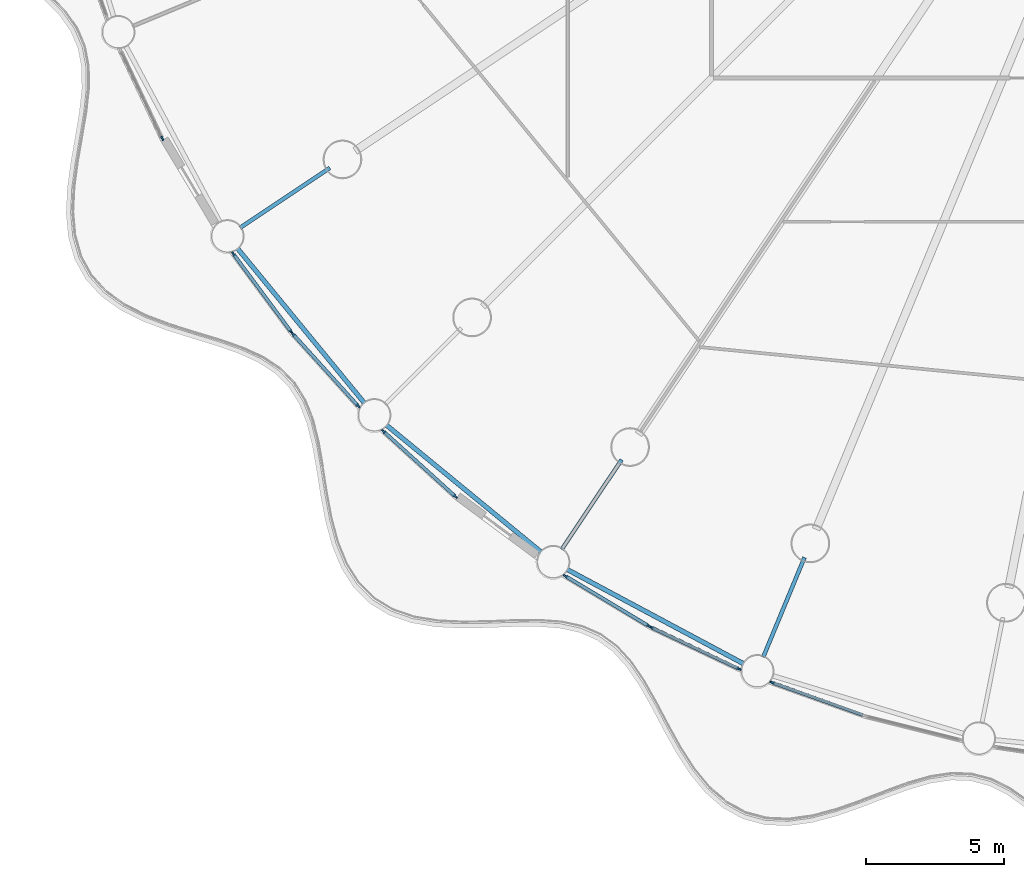
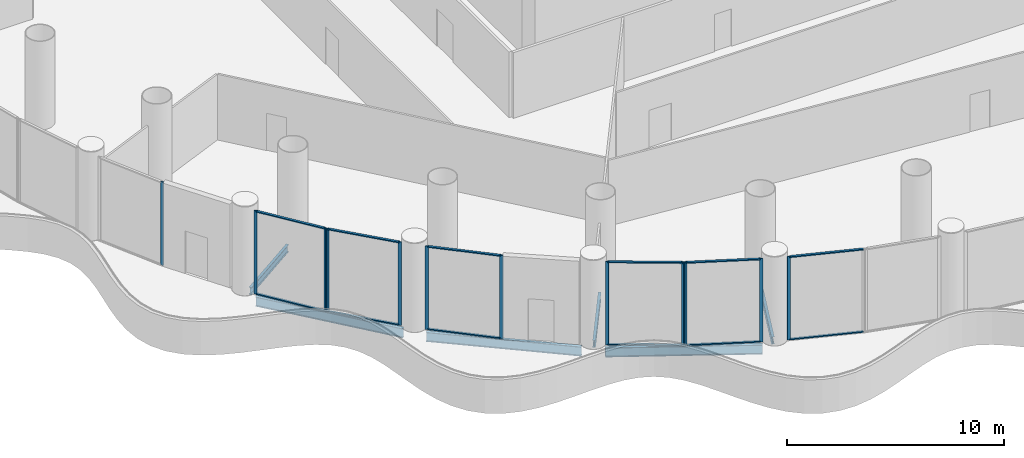
# One storey, part 2 of 38: 24 members, 6 beams, 7 elements without a shape of their own.
"""IFC4 building model written with IfcOpenShell, lengths in metres."""

from ifc_helpers import new_model, si_unit, direction, frame, origin, origin_2d, place, context, subcontext, project, spatial, rectangle, i_section, extrude, material, material_profile, profile_set, type_object, element, aggregate, save


model = new_model("IFC4")

# Units and contexts
model_context = context("Model", 3, precision=1e-05, world=origin(), true_north=direction((0.0, 1.0)))
body_context = subcontext(model_context, "Body", "Model", "MODEL_VIEW")
ifc_project = project(units=[si_unit("LENGTHUNIT", "METRE"), si_unit("AREAUNIT", "SQUARE_METRE"), si_unit("VOLUMEUNIT", "CUBIC_METRE"), si_unit("PLANEANGLEUNIT", "RADIAN"), si_unit("MASSUNIT", "GRAM", prefix="KILO")], contexts=[model_context])

# Site, building, storey
site_placement = place(None, origin())
site = spatial("IfcSite", under=ifc_project, at=site_placement, CompositionType="ELEMENT")
building_placement = place(site_placement, origin())
building = spatial("IfcBuilding", under=site, at=building_placement, Name="Corvane Civic Tower", CompositionType="ELEMENT")
storey_placement = place(building_placement, frame((0.0, 0.0, 32.0)))
storey = spatial("IfcBuildingStorey", under=building, at=storey_placement, Name="L06", CompositionType="ELEMENT", Elevation=32.0)

# Beams
ifc_material_1 = material(Name="Steel ASTM A992 Gr 50", Category="steel")
ifc_material_profile_1 = material_profile(ifc_material_1, i_section(OverallWidth=0.165771484375, OverallDepth=0.5283203125, WebThickness=0.009765625, FlangeThickness=0.013671875, at=origin_2d()), Name="W21X50")
ifc_profile_set_1 = profile_set([ifc_material_profile_1], Name="Steel ASTM A992 Gr 50")
beam_type_1 = type_object("IfcBeamType", Name="EDGE BEAM W21X50", PredefinedType="BEAM", material=ifc_profile_set_1)
for number, where, z_axis, x_axis, name in (
    (1, (-16.82568359375, -39.1904296875, -0.564208984375), (-0.881912894916, 0.471412394598, 0.0), (-0.471412394598, -0.881912894916, 0.0), "BM-L06-E19"),
    (2, (-24.14794921875, -35.15478515625, -0.564208984375), (-0.773007924807, 0.634396365205, 0.0), (-0.634396365205, -0.773007924807, 0.0), "BM-L06-E20"),
    (3, (-30.542236328125, -29.768310546875, -0.564208984375), (-0.634396365205, 0.773007924807, 0.0), (-0.773007924807, -0.634396365205, 0.0), "BM-L06-E21"),
):
    element("IfcBeam", number, at=place(storey_placement, frame(where, z_axis=z_axis, x_axis=x_axis)), inside=storey, type_object=beam_type_1, Name=name, PredefinedType="BEAM", context=body_context, shape_type="SweptSolid", body=[
        extrude(i_section(OverallWidth=0.165771484375, OverallDepth=0.5283203125, WebThickness=0.009765625, FlangeThickness=0.013671875, at=origin_2d()), origin(), (0.0, 0.0, 1.0), 7.270751953125),
    ])
ifc_material_2 = material(Name="Steel ASTM A992 Gr 50", Category="steel")
ifc_material_profile_2 = material_profile(ifc_material_2, i_section(OverallWidth=0.140380859375, OverallDepth=0.40380859375, WebThickness=0.007080078125, FlangeThickness=0.01123046875, at=origin_2d()), Name="W16X31")
ifc_profile_set_2 = profile_set([ifc_material_profile_2], Name="Steel ASTM A992 Gr 50")
beam_type_2 = type_object("IfcBeamType", Name="FLOOR GIRDER W16X31", PredefinedType="BEAM", material=ifc_profile_set_2)
for number, where, z_axis, x_axis, name in (
    (4, (-14.6376953125, -35.33837890625, -0.501953125), (-0.382685369162, -0.923878730261, 0.0), (0.923878730261, -0.382685369162, 0.0), "BM-L06-G19b"),
    (5, (-21.25048828125, -31.8037109375, -0.501953125), (-0.555581110199, -0.831462344301, 0.0), (0.831462344301, -0.555581110199, 0.0), "BM-L06-G20b"),
    (6, (-31.8037109375, -21.25048828125, -0.501953125), (-0.831462344301, -0.555581110199, 0.0), (0.555581110199, -0.831462344301, 0.0), "BM-L06-G22b"),
):
    element("IfcBeam", number, at=place(storey_placement, frame(where, z_axis=z_axis, x_axis=x_axis)), inside=storey, type_object=beam_type_2, Name=name, PredefinedType="BEAM", context=body_context, shape_type="SweptSolid", body=[
        extrude(i_section(OverallWidth=0.140380859375, OverallDepth=0.40380859375, WebThickness=0.007080078125, FlangeThickness=0.01123046875, at=origin_2d()), origin(), (0.0, 0.0, 1.0), 3.89990234375),
    ])

# Curtain wall, member
ifc_material_3 = material(Name="Aluminium and glass", Category="aluminium")
curtain_wall_type = type_object("IfcCurtainWallType", Name="PODIUM-CW-P-RUN", PredefinedType="NOTDEFINED", material=ifc_material_3)
curtain_wall_1_placement = place(storey_placement, origin())
curtain_wall_1 = element("IfcCurtainWall", 7, at=curtain_wall_1_placement, inside=storey, type_object=curtain_wall_type, Name="PODI run L06-drum-18B", PredefinedType="NOTDEFINED")
ifc_material_4 = material(Name="Anodised aluminium bronze", Category="aluminium")
ifc_material_profile_3 = material_profile(ifc_material_4, rectangle(XDim=0.06005859375, YDim=0.159912109375, at=origin_2d()), Name="AL 60x160")
ifc_profile_set_3 = profile_set([ifc_material_profile_3], Name="Anodised aluminium bronze")
member_type_1 = type_object("IfcMemberType", Name="PODIUM-CWP-MULLION-60x160", PredefinedType="MULLION", material=ifc_profile_set_3)
member_1_placement = place(storey_placement, frame((-15.81298828125, -39.861083984375, 0.0), z_axis=(0.0, 0.0, 1.0), x_axis=(-0.336918534123, -0.941533802561, 0.0)))
member_1 = element("IfcMember", 8, at=member_1_placement, type_object=member_type_1, Name="CW-P mullion 2", PredefinedType="MULLION", context=body_context, shape_type="SweptSolid", body=[
    extrude(rectangle(XDim=0.06005859375, YDim=0.159912109375, at=origin_2d()), origin(), (0.0, 0.0, 1.0), 4.699951171875),
])

# Curtain wall, members
curtain_wall_2_placement = place(storey_placement, origin())
curtain_wall_2 = element("IfcCurtainWall", 9, at=curtain_wall_2_placement, inside=storey, type_object=curtain_wall_type, Name="PODI run L06-drum-19A", PredefinedType="NOTDEFINED")
member_2_placement = place(storey_placement, frame((-17.00439453125, -39.36767578125, 0.0), z_axis=(0.0, 0.0, 1.0), x_axis=(-0.42755312852, -0.903990222454, 0.0)))
member_2 = element("IfcMember", 10, at=member_2_placement, type_object=member_type_1, Name="CW-P mullion 1", PredefinedType="MULLION", context=body_context, shape_type="SweptSolid", body=[
    extrude(rectangle(XDim=0.06005859375, YDim=0.159912109375, at=origin_2d()), origin(), (0.0, 0.0, 1.0), 4.699951171875),
])
member_3_placement = place(storey_placement, frame((-20.186279296875, -37.862548828125, 0.0), z_axis=(0.0, 0.0, 1.0), x_axis=(-0.42755312852, -0.903990222454, 0.0)))
member_3 = element("IfcMember", 11, at=member_3_placement, type_object=member_type_1, Name="CW-P mullion 2", PredefinedType="MULLION", context=body_context, shape_type="SweptSolid", body=[
    extrude(rectangle(XDim=0.06005859375, YDim=0.159912109375, at=origin_2d()), origin(), (0.0, 0.0, 1.0), 4.699951171875),
])

curtain_wall_3_placement = place(storey_placement, origin())
curtain_wall_3 = element("IfcCurtainWall", 12, at=curtain_wall_3_placement, inside=storey, type_object=curtain_wall_type, Name="PODI run L06-drum-19B", PredefinedType="NOTDEFINED")
member_4_placement = place(storey_placement, frame((-20.2666015625, -37.819580078125, 0.0), z_axis=(0.0, 0.0, 1.0), x_axis=(-0.514117759857, -0.857719609779, 0.0)))
member_4 = element("IfcMember", 13, at=member_4_placement, type_object=member_type_1, Name="CW-P mullion 1", PredefinedType="MULLION", context=body_context, shape_type="SweptSolid", body=[
    extrude(rectangle(XDim=0.06005859375, YDim=0.159912109375, at=origin_2d()), origin(), (0.0, 0.0, 1.0), 4.699951171875),
])
member_5_placement = place(storey_placement, frame((-23.28564453125, -36.010009765625, 0.0), z_axis=(0.0, 0.0, 1.0), x_axis=(-0.514117759857, -0.857719609779, 0.0)))
member_5 = element("IfcMember", 14, at=member_5_placement, type_object=member_type_1, Name="CW-P mullion 2", PredefinedType="MULLION", context=body_context, shape_type="SweptSolid", body=[
    extrude(rectangle(XDim=0.06005859375, YDim=0.159912109375, at=origin_2d()), origin(), (0.0, 0.0, 1.0), 4.699951171875),
])

curtain_wall_4_placement = place(storey_placement, origin())
curtain_wall_4 = element("IfcCurtainWall", 15, at=curtain_wall_4_placement, inside=storey, type_object=curtain_wall_type, Name="PODI run L06-drum-20B", PredefinedType="NOTDEFINED")
member_6_placement = place(storey_placement, frame((-27.25537109375, -33.13916015625, 0.0), z_axis=(0.0, 0.0, 1.0), x_axis=(-0.671576457952, -0.740935261089, 0.0)))
member_6 = element("IfcMember", 16, at=member_6_placement, type_object=member_type_1, Name="CW-P mullion 1", PredefinedType="MULLION", context=body_context, shape_type="SweptSolid", body=[
    extrude(rectangle(XDim=0.06005859375, YDim=0.159912109375, at=origin_2d()), origin(), (0.0, 0.0, 1.0), 4.699951171875),
])
member_7_placement = place(storey_placement, frame((-29.863525390625, -30.775390625, 0.0), z_axis=(0.0, 0.0, 1.0), x_axis=(-0.671576457952, -0.740935261089, 0.0)))
member_7 = element("IfcMember", 17, at=member_7_placement, type_object=member_type_1, Name="CW-P mullion 2", PredefinedType="MULLION", context=body_context, shape_type="SweptSolid", body=[
    extrude(rectangle(XDim=0.06005859375, YDim=0.159912109375, at=origin_2d()), origin(), (0.0, 0.0, 1.0), 4.699951171875),
])

curtain_wall_5_placement = place(storey_placement, origin())
curtain_wall_5 = element("IfcCurtainWall", 18, at=curtain_wall_5_placement, inside=storey, type_object=curtain_wall_type, Name="PODI run L06-drum-21A", PredefinedType="NOTDEFINED")
member_8_placement = place(storey_placement, frame((-30.775390625, -29.863525390625, 0.0), z_axis=(0.0, 0.0, 1.0), x_axis=(-0.740935261089, -0.671576457952, 0.0)))
member_8 = element("IfcMember", 19, at=member_8_placement, type_object=member_type_1, Name="CW-P mullion 1", PredefinedType="MULLION", context=body_context, shape_type="SweptSolid", body=[
    extrude(rectangle(XDim=0.06005859375, YDim=0.159912109375, at=origin_2d()), origin(), (0.0, 0.0, 1.0), 4.699951171875),
])
member_9_placement = place(storey_placement, frame((-33.13916015625, -27.25537109375, 0.0), z_axis=(0.0, 0.0, 1.0), x_axis=(-0.740935261089, -0.671576457952, 0.0)))
member_9 = element("IfcMember", 20, at=member_9_placement, type_object=member_type_1, Name="CW-P mullion 2", PredefinedType="MULLION", context=body_context, shape_type="SweptSolid", body=[
    extrude(rectangle(XDim=0.06005859375, YDim=0.159912109375, at=origin_2d()), origin(), (0.0, 0.0, 1.0), 4.699951171875),
])

curtain_wall_6_placement = place(storey_placement, origin())
curtain_wall_6 = element("IfcCurtainWall", 21, at=curtain_wall_6_placement, inside=storey, type_object=curtain_wall_type, Name="PODI run L06-drum-21B", PredefinedType="NOTDEFINED")
member_10_placement = place(storey_placement, frame((-33.197021484375, -27.18505859375, 0.0), z_axis=(0.0, 0.0, 1.0), x_axis=(-0.803203229747, -0.595705104665, 0.0)))
member_10 = element("IfcMember", 22, at=member_10_placement, type_object=member_type_1, Name="CW-P mullion 1", PredefinedType="MULLION", context=body_context, shape_type="SweptSolid", body=[
    extrude(rectangle(XDim=0.06005859375, YDim=0.159912109375, at=origin_2d()), origin(), (0.0, 0.0, 1.0), 4.699951171875),
])
member_11_placement = place(storey_placement, frame((-35.293701171875, -24.35791015625, 0.0), z_axis=(0.0, 0.0, 1.0), x_axis=(-0.803203229747, -0.595705104665, 0.0)))
member_11 = element("IfcMember", 23, at=member_11_placement, type_object=member_type_1, Name="CW-P mullion 2", PredefinedType="MULLION", context=body_context, shape_type="SweptSolid", body=[
    extrude(rectangle(XDim=0.06005859375, YDim=0.159912109375, at=origin_2d()), origin(), (0.0, 0.0, 1.0), 4.699951171875),
])

# Curtain wall, member
curtain_wall_7_placement = place(storey_placement, origin())
curtain_wall_7 = element("IfcCurtainWall", 24, at=curtain_wall_7_placement, inside=storey, type_object=curtain_wall_type, Name="PODI run L06-drum-22B", PredefinedType="NOTDEFINED")
member_12_placement = place(storey_placement, frame((-37.862548828125, -20.186279296875, 0.0), z_axis=(0.0, 0.0, 1.0), x_axis=(-0.903990222454, -0.42755312852, 0.0)))
member_12 = element("IfcMember", 25, at=member_12_placement, type_object=member_type_1, Name="CW-P mullion 1", PredefinedType="MULLION", context=body_context, shape_type="SweptSolid", body=[
    extrude(rectangle(XDim=0.06005859375, YDim=0.159912109375, at=origin_2d()), origin(), (0.0, 0.0, 1.0), 4.699951171875),
])
aggregate(curtain_wall_7, [member_12])

# Member
ifc_material_5 = material(Name="Anodised aluminium bronze", Category="aluminium")
ifc_material_profile_4 = material_profile(ifc_material_5, rectangle(XDim=0.1201171875, YDim=0.06005859375, at=origin_2d()), Name="AL 120x60")
ifc_profile_set_4 = profile_set([ifc_material_profile_4], Name="Anodised aluminium bronze")
member_type_2 = type_object("IfcMemberType", Name="PODIUM-CWP-TRANSOM-60x120", PredefinedType="USERDEFINED", material=ifc_profile_set_4)
member_13_placement = place(storey_placement, frame((-12.527099609375, -41.036865234375, 0.030029296875), z_axis=(-0.941526196838, 0.336939787896, 0.0), x_axis=(-0.336939787896, -0.941526196838, 0.0)))
member_13 = element("IfcMember", 26, at=member_13_placement, type_object=member_type_2, Name="CW-P transom 1.1", ObjectType="TRANSOM", PredefinedType="USERDEFINED", context=body_context, shape_type="SweptSolid", body=[
    extrude(rectangle(XDim=0.1201171875, YDim=0.06005859375, at=origin_2d()), origin(), (0.0, 0.0, 1.0), 3.4599609375),
])

member_14_placement = place(storey_placement, frame((-12.527099609375, -41.036865234375, 4.669921875), z_axis=(-0.941526196838, 0.336939787896, 0.0), x_axis=(-0.336939787896, -0.941526196838, 0.0)))
member_14 = element("IfcMember", 27, at=member_14_placement, type_object=member_type_2, Name="CW-P transom 1.2", ObjectType="TRANSOM", PredefinedType="USERDEFINED", context=body_context, shape_type="SweptSolid", body=[
    extrude(rectangle(XDim=0.1201171875, YDim=0.06005859375, at=origin_2d()), origin(), (0.0, 0.0, 1.0), 3.4599609375),
])

aggregate(curtain_wall_1, [member_1, member_13, member_14])

member_15_placement = place(storey_placement, frame((-17.031494140625, -39.354736328125, 0.030029296875), z_axis=(-0.903993431638, 0.427546343166, 0.0), x_axis=(-0.427546343166, -0.903993431638, 0.0)))
member_15 = element("IfcMember", 28, at=member_15_placement, type_object=member_type_2, Name="CW-P transom 1.1", ObjectType="TRANSOM", PredefinedType="USERDEFINED", context=body_context, shape_type="SweptSolid", body=[
    extrude(rectangle(XDim=0.1201171875, YDim=0.06005859375, at=origin_2d()), origin(), (0.0, 0.0, 1.0), 3.4599609375),
])

member_16_placement = place(storey_placement, frame((-17.031494140625, -39.354736328125, 4.669921875), z_axis=(-0.903993431638, 0.427546343166, 0.0), x_axis=(-0.427546343166, -0.903993431638, 0.0)))
member_16 = element("IfcMember", 29, at=member_16_placement, type_object=member_type_2, Name="CW-P transom 1.2", ObjectType="TRANSOM", PredefinedType="USERDEFINED", context=body_context, shape_type="SweptSolid", body=[
    extrude(rectangle(XDim=0.1201171875, YDim=0.06005859375, at=origin_2d()), origin(), (0.0, 0.0, 1.0), 3.4599609375),
])

aggregate(curtain_wall_2, [member_2, member_3, member_15, member_16])

member_17_placement = place(storey_placement, frame((-20.29248046875, -37.80419921875, 0.030029296875), z_axis=(-0.857723234181, 0.514111713099, 0.0), x_axis=(-0.514111713099, -0.857723234181, 0.0)))
member_17 = element("IfcMember", 30, at=member_17_placement, type_object=member_type_2, Name="CW-P transom 1.1", ObjectType="TRANSOM", PredefinedType="USERDEFINED", context=body_context, shape_type="SweptSolid", body=[
    extrude(rectangle(XDim=0.1201171875, YDim=0.06005859375, at=origin_2d()), origin(), (0.0, 0.0, 1.0), 3.45947265625),
])

member_18_placement = place(storey_placement, frame((-20.29248046875, -37.80419921875, 4.669921875), z_axis=(-0.857723234181, 0.514111713099, 0.0), x_axis=(-0.514111713099, -0.857723234181, 0.0)))
member_18 = element("IfcMember", 31, at=member_18_placement, type_object=member_type_2, Name="CW-P transom 1.2", ObjectType="TRANSOM", PredefinedType="USERDEFINED", context=body_context, shape_type="SweptSolid", body=[
    extrude(rectangle(XDim=0.1201171875, YDim=0.06005859375, at=origin_2d()), origin(), (0.0, 0.0, 1.0), 3.45947265625),
])

aggregate(curtain_wall_3, [member_4, member_5, member_17, member_18])

member_19_placement = place(storey_placement, frame((-27.277587890625, -33.119140625, 0.030029296875), z_axis=(-0.740935382865, 0.671576323599, 0.0), x_axis=(-0.671576323599, -0.740935382865, 0.0)))
member_19 = element("IfcMember", 32, at=member_19_placement, type_object=member_type_2, Name="CW-P transom 1.1", ObjectType="TRANSOM", PredefinedType="USERDEFINED", context=body_context, shape_type="SweptSolid", body=[
    extrude(rectangle(XDim=0.1201171875, YDim=0.06005859375, at=origin_2d()), origin(), (0.0, 0.0, 1.0), 3.460205078125),
])

member_20_placement = place(storey_placement, frame((-27.277587890625, -33.119140625, 4.669921875), z_axis=(-0.740935382865, 0.671576323599, 0.0), x_axis=(-0.671576323599, -0.740935382865, 0.0)))
member_20 = element("IfcMember", 33, at=member_20_placement, type_object=member_type_2, Name="CW-P transom 1.2", ObjectType="TRANSOM", PredefinedType="USERDEFINED", context=body_context, shape_type="SweptSolid", body=[
    extrude(rectangle(XDim=0.1201171875, YDim=0.06005859375, at=origin_2d()), origin(), (0.0, 0.0, 1.0), 3.460205078125),
])

aggregate(curtain_wall_4, [member_6, member_7, member_19, member_20])

member_21_placement = place(storey_placement, frame((-30.79541015625, -29.84130859375, 0.030029296875), z_axis=(-0.671576323599, 0.740935382865, 0.0), x_axis=(-0.740935382865, -0.671576323599, 0.0)))
member_21 = element("IfcMember", 34, at=member_21_placement, type_object=member_type_2, Name="CW-P transom 1.1", ObjectType="TRANSOM", PredefinedType="USERDEFINED", context=body_context, shape_type="SweptSolid", body=[
    extrude(rectangle(XDim=0.1201171875, YDim=0.06005859375, at=origin_2d()), origin(), (0.0, 0.0, 1.0), 3.460205078125),
])

member_22_placement = place(storey_placement, frame((-30.79541015625, -29.84130859375, 4.669921875), z_axis=(-0.671576323599, 0.740935382865, 0.0), x_axis=(-0.740935382865, -0.671576323599, 0.0)))
member_22 = element("IfcMember", 35, at=member_22_placement, type_object=member_type_2, Name="CW-P transom 1.2", ObjectType="TRANSOM", PredefinedType="USERDEFINED", context=body_context, shape_type="SweptSolid", body=[
    extrude(rectangle(XDim=0.1201171875, YDim=0.06005859375, at=origin_2d()), origin(), (0.0, 0.0, 1.0), 3.460205078125),
])

aggregate(curtain_wall_5, [member_8, member_9, member_21, member_22])

member_23_placement = place(storey_placement, frame((-33.21484375, -27.160888671875, 0.030029296875), z_axis=(-0.595723591285, 0.803189518598, 0.0), x_axis=(-0.803189518598, -0.595723591285, 0.0)))
member_23 = element("IfcMember", 36, at=member_23_placement, type_object=member_type_2, Name="CW-P transom 1.1", ObjectType="TRANSOM", PredefinedType="USERDEFINED", context=body_context, shape_type="SweptSolid", body=[
    extrude(rectangle(XDim=0.1201171875, YDim=0.06005859375, at=origin_2d()), origin(), (0.0, 0.0, 1.0), 3.459716796875),
])

member_24_placement = place(storey_placement, frame((-33.21484375, -27.160888671875, 4.669921875), z_axis=(-0.595723591285, 0.803189518598, 0.0), x_axis=(-0.803189518598, -0.595723591285, 0.0)))
member_24 = element("IfcMember", 37, at=member_24_placement, type_object=member_type_2, Name="CW-P transom 1.2", ObjectType="TRANSOM", PredefinedType="USERDEFINED", context=body_context, shape_type="SweptSolid", body=[
    extrude(rectangle(XDim=0.1201171875, YDim=0.06005859375, at=origin_2d()), origin(), (0.0, 0.0, 1.0), 3.459716796875),
])

aggregate(curtain_wall_6, [member_10, member_11, member_23, member_24])

save(model, "model.ifc")
